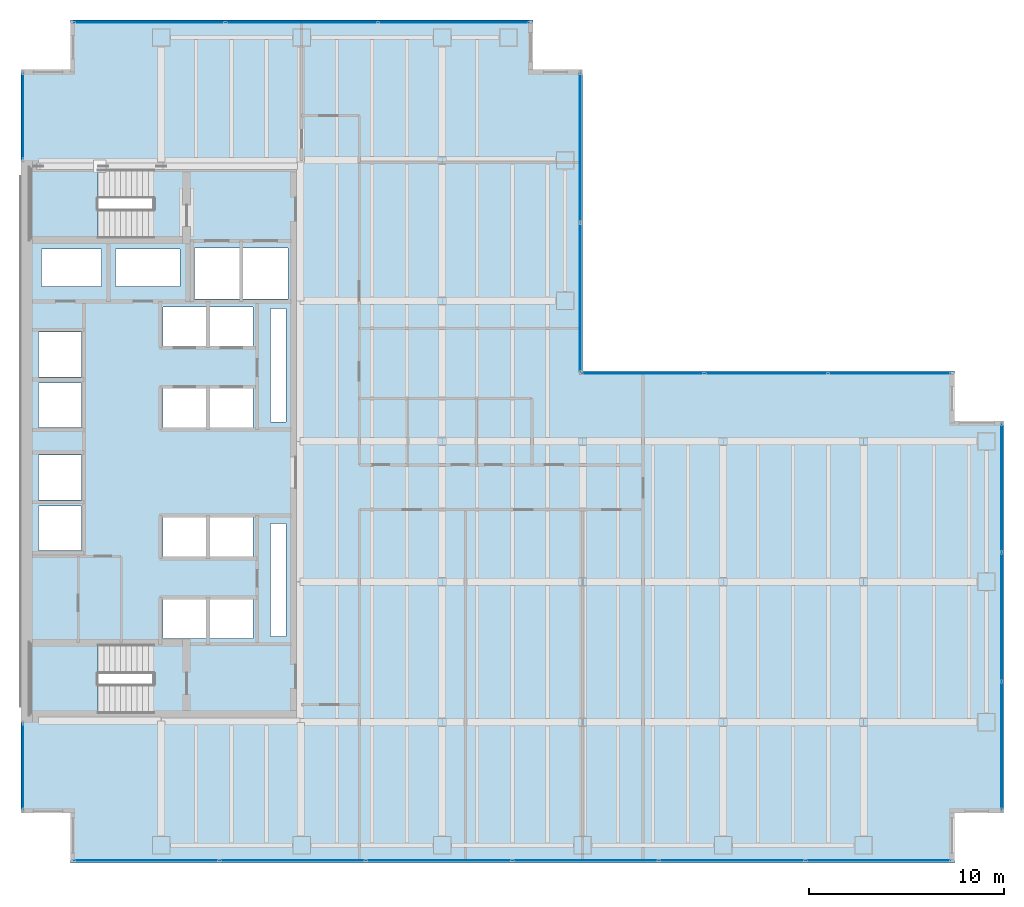
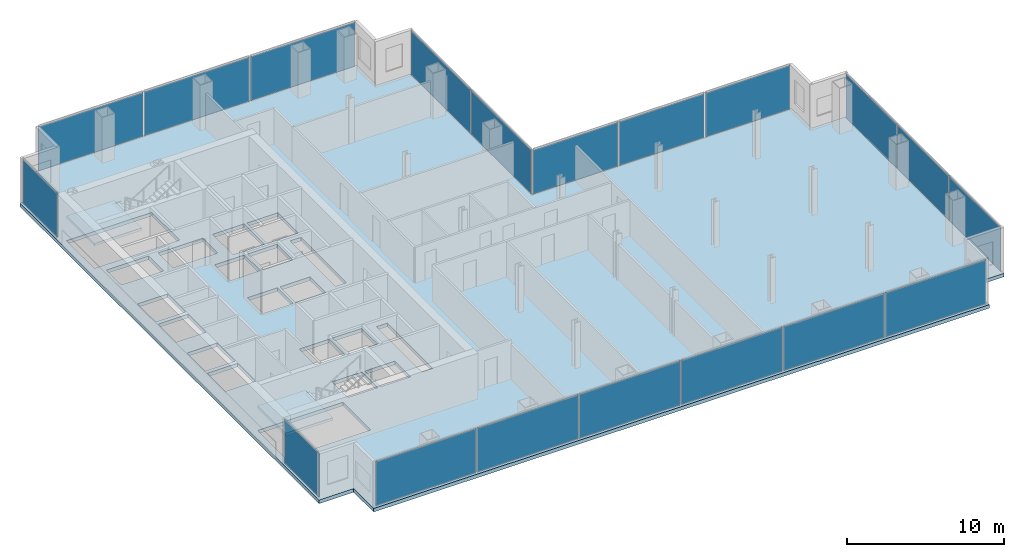
# One storey, part 19 of 23: 19 plates, 3 slabs, 20 openings, 9 elements without a shape of their own.
"""IFC4 building model written with IfcOpenShell, lengths in metres."""

from ifc_helpers import new_model, si_unit, direction, frame, origin, origin_2d, place, context, subcontext, project, spatial, polyline, rectangle, outline, extrude, material, layer, layer_set, type_object, element, aggregate, save


model = new_model("IFC4")

# Units and contexts
model_context = context("Model", 3, precision=1e-05, world=origin(), true_north=direction((0.0, 1.0)))
body_context = subcontext(model_context, "Body", "Model", "MODEL_VIEW")
ifc_project = project(units=[si_unit("LENGTHUNIT", "METRE"), si_unit("AREAUNIT", "SQUARE_METRE"), si_unit("VOLUMEUNIT", "CUBIC_METRE"), si_unit("PLANEANGLEUNIT", "RADIAN"), si_unit("MASSUNIT", "GRAM", prefix="KILO")], contexts=[model_context])

# Site, building, storey
site_placement = place(None, origin())
site = spatial("IfcSite", under=ifc_project, at=site_placement, CompositionType="ELEMENT")
building_placement = place(site_placement, origin())
building = spatial("IfcBuilding", under=site, at=building_placement, Name="Cobrela Telecom Tower", CompositionType="ELEMENT")
storey_placement = place(building_placement, frame((0.0, 0.0, 81.199951171875)))
storey = spatial("IfcBuildingStorey", under=building, at=storey_placement, Name="L20", CompositionType="ELEMENT", Elevation=81.199951171875)

# Curtain wall, plate
ifc_material_1 = material(Name="Anodized Bronze Aluminium 6063-T6", Category="aluminium")
curtain_wall_type = type_object("IfcCurtainWallType", Name="CW-SYS-DATA", PredefinedType="USERDEFINED", material=ifc_material_1)
curtain_wall_1_placement = place(storey_placement, origin())
curtain_wall_1 = element("IfcCurtainWall", 1, at=curtain_wall_1_placement, inside=storey, type_object=curtain_wall_type, Name="L20 Unitised Bronze Curtain Wall 03", ObjectType="UNITISED CURTAIN WALL", PredefinedType="USERDEFINED")
ifc_material_2 = material(Name="Solar-Control Bronze Low-E Glass", Category="glass")
ifc_layer_1 = layer(ifc_material_2, 0.0380859375)
ifc_layer_set_1 = layer_set([ifc_layer_1], Name="Solar-Control Bronze Low-E Glass")
plate_type = type_object("IfcPlateType", Name="CW-SYS-DATA-PNL", PredefinedType="CURTAIN_PANEL", material=ifc_layer_set_1)
plate_1_placement = place(storey_placement, frame((0.1201171875, 4.93505859375, 0.0751953125), z_axis=(0.0, 0.0, 1.0), x_axis=(0.0, 1.0, 0.0)))
plate_1 = element("IfcPlate", 2, at=plate_1_placement, type_object=plate_type, Name="CW-DATA panel 1.1", PredefinedType="CURTAIN_PANEL", context=body_context, shape_type="SweptSolid", body=[
    extrude(rectangle(XDim=4.3701171875, YDim=0.0380859375, at=origin_2d()), origin(), (0.0, 0.0, 1.0), 3.419921875),
])
aggregate(curtain_wall_1, [plate_1])

curtain_wall_2_placement = place(storey_placement, origin())
curtain_wall_2 = element("IfcCurtainWall", 3, at=curtain_wall_2_placement, inside=storey, type_object=curtain_wall_type, Name="L20 Unitised Bronze Curtain Wall 04", ObjectType="UNITISED CURTAIN WALL", PredefinedType="USERDEFINED")
plate_2_placement = place(storey_placement, frame((0.1201171875, 38.264892578125, 0.0751953125), z_axis=(0.0, 0.0, 1.0), x_axis=(0.0, 1.0, 0.0)))
plate_2 = element("IfcPlate", 4, at=plate_2_placement, type_object=plate_type, Name="CW-DATA panel 1.1", PredefinedType="CURTAIN_PANEL", context=body_context, shape_type="SweptSolid", body=[
    extrude(rectangle(XDim=4.3701171875, YDim=0.0380859375, at=origin_2d()), origin(), (0.0, 0.0, 1.0), 3.419921875),
])
aggregate(curtain_wall_2, [plate_2])

# Curtain wall, plates
curtain_wall_3_placement = place(storey_placement, origin())
curtain_wall_3 = element("IfcCurtainWall", 5, at=curtain_wall_3_placement, inside=storey, type_object=curtain_wall_type, Name="L20 Unitised Bronze Curtain Wall 07", ObjectType="UNITISED CURTAIN WALL", PredefinedType="USERDEFINED")
plate_3_placement = place(storey_placement, frame((6.60009765625, 43.080078125, 0.0751953125), z_axis=(0.0, 0.0, 1.0), x_axis=(1.0, 0.0, 0.0)))
plate_3 = element("IfcPlate", 6, at=plate_3_placement, type_object=plate_type, Name="CW-DATA panel 1.1", PredefinedType="CURTAIN_PANEL", context=body_context, shape_type="SweptSolid", body=[
    extrude(rectangle(XDim=7.699951171875, YDim=0.0380859375, at=origin_2d()), origin(), (0.0, 0.0, 1.0), 3.419921875),
])
plate_4_placement = place(storey_placement, frame((14.39990234375, 43.080078125, 0.0751953125), z_axis=(0.0, 0.0, 1.0), x_axis=(1.0, 0.0, 0.0)))
plate_4 = element("IfcPlate", 7, at=plate_4_placement, type_object=plate_type, Name="CW-DATA panel 2.1", PredefinedType="CURTAIN_PANEL", context=body_context, shape_type="SweptSolid", body=[
    extrude(rectangle(XDim=7.739990234375, YDim=0.0380859375, at=origin_2d()), origin(), (0.0, 0.0, 1.0), 3.419921875),
])
plate_5_placement = place(storey_placement, frame((22.199951171875, 43.080078125, 0.0751953125), z_axis=(0.0, 0.0, 1.0), x_axis=(1.0, 0.0, 0.0)))
plate_5 = element("IfcPlate", 8, at=plate_5_placement, type_object=plate_type, Name="CW-DATA panel 3.1", PredefinedType="CURTAIN_PANEL", context=body_context, shape_type="SweptSolid", body=[
    extrude(rectangle(XDim=7.699951171875, YDim=0.0380859375, at=origin_2d()), origin(), (0.0, 0.0, 1.0), 3.419921875),
])
aggregate(curtain_wall_3, [plate_3, plate_4, plate_5])

curtain_wall_4_placement = place(storey_placement, origin())
curtain_wall_4 = element("IfcCurtainWall", 9, at=curtain_wall_4_placement, inside=storey, type_object=curtain_wall_type, Name="L20 Unitised Bronze Curtain Wall 10", ObjectType="UNITISED CURTAIN WALL", PredefinedType="USERDEFINED")
plate_6_placement = place(storey_placement, frame((28.679931640625, 36.6474609375, 0.0751953125), z_axis=(0.0, 0.0, 1.0), x_axis=(0.0, -1.0, 0.0)))
plate_6 = element("IfcPlate", 10, at=plate_6_placement, type_object=plate_type, Name="CW-DATA panel 1.1", PredefinedType="CURTAIN_PANEL", context=body_context, shape_type="SweptSolid", body=[
    extrude(rectangle(XDim=7.60498046875, YDim=0.0380859375, at=origin_2d()), origin(), (0.0, 0.0, 1.0), 3.419921875),
])
plate_7_placement = place(storey_placement, frame((28.679931640625, 28.96240234375, 0.0751953125), z_axis=(0.0, 0.0, 1.0), x_axis=(0.0, -1.0, 0.0)))
plate_7 = element("IfcPlate", 11, at=plate_7_placement, type_object=plate_type, Name="CW-DATA panel 2.1", PredefinedType="CURTAIN_PANEL", context=body_context, shape_type="SweptSolid", body=[
    extrude(rectangle(XDim=7.60498046875, YDim=0.0380859375, at=origin_2d()), origin(), (0.0, 0.0, 1.0), 3.419921875),
])
aggregate(curtain_wall_4, [plate_6, plate_7])

curtain_wall_5_placement = place(storey_placement, origin())
curtain_wall_5 = element("IfcCurtainWall", 12, at=curtain_wall_5_placement, inside=storey, type_object=curtain_wall_type, Name="L20 Unitised Bronze Curtain Wall 11", ObjectType="UNITISED CURTAIN WALL", PredefinedType="USERDEFINED")
plate_8_placement = place(storey_placement, frame((31.875, 25.080078125, 0.0751953125), z_axis=(0.0, 0.0, 1.0), x_axis=(1.0, 0.0, 0.0)))
plate_8 = element("IfcPlate", 13, at=plate_8_placement, type_object=plate_type, Name="CW-DATA panel 1.1", PredefinedType="CURTAIN_PANEL", context=body_context, shape_type="SweptSolid", body=[
    extrude(rectangle(XDim=6.22998046875, YDim=0.0380859375, at=origin_2d()), origin(), (0.0, 0.0, 1.0), 3.419921875),
])
plate_9_placement = place(storey_placement, frame((38.205078125, 25.080078125, 0.0751953125), z_axis=(0.0, 0.0, 1.0), x_axis=(1.0, 0.0, 0.0)))
plate_9 = element("IfcPlate", 14, at=plate_9_placement, type_object=plate_type, Name="CW-DATA panel 2.1", PredefinedType="CURTAIN_PANEL", context=body_context, shape_type="SweptSolid", body=[
    extrude(rectangle(XDim=6.27001953125, YDim=0.0380859375, at=origin_2d()), origin(), (0.0, 0.0, 1.0), 3.419921875),
])
plate_10_placement = place(storey_placement, frame((44.534912109375, 25.080078125, 0.0751953125), z_axis=(0.0, 0.0, 1.0), x_axis=(1.0, 0.0, 0.0)))
plate_10 = element("IfcPlate", 15, at=plate_10_placement, type_object=plate_type, Name="CW-DATA panel 3.1", PredefinedType="CURTAIN_PANEL", context=body_context, shape_type="SweptSolid", body=[
    extrude(rectangle(XDim=6.22998046875, YDim=0.0380859375, at=origin_2d()), origin(), (0.0, 0.0, 1.0), 3.419921875),
])
aggregate(curtain_wall_5, [plate_8, plate_9, plate_10])

curtain_wall_6_placement = place(storey_placement, origin())
curtain_wall_6 = element("IfcCurtainWall", 16, at=curtain_wall_6_placement, inside=storey, type_object=curtain_wall_type, Name="L20 Unitised Bronze Curtain Wall 14", ObjectType="UNITISED CURTAIN WALL", PredefinedType="USERDEFINED")
plate_11_placement = place(storey_placement, frame((50.280029296875, 19.199951171875, 0.0751953125), z_axis=(0.0, 0.0, 1.0), x_axis=(0.0, -1.0, 0.0)))
plate_11 = element("IfcPlate", 17, at=plate_11_placement, type_object=plate_type, Name="CW-DATA panel 1.1", PredefinedType="CURTAIN_PANEL", context=body_context, shape_type="SweptSolid", body=[
    extrude(rectangle(XDim=6.5, YDim=0.0380859375, at=origin_2d()), origin(), (0.0, 0.0, 1.0), 3.419921875),
])
plate_12_placement = place(storey_placement, frame((50.280029296875, 12.60009765625, 0.0751953125), z_axis=(0.0, 0.0, 1.0), x_axis=(0.0, -1.0, 0.0)))
plate_12 = element("IfcPlate", 18, at=plate_12_placement, type_object=plate_type, Name="CW-DATA panel 2.1", PredefinedType="CURTAIN_PANEL", context=body_context, shape_type="SweptSolid", body=[
    extrude(rectangle(XDim=6.5400390625, YDim=0.0380859375, at=origin_2d()), origin(), (0.0, 0.0, 1.0), 3.419921875),
])
plate_13_placement = place(storey_placement, frame((50.280029296875, 6.0, 0.0751953125), z_axis=(0.0, 0.0, 1.0), x_axis=(0.0, -1.0, 0.0)))
plate_13 = element("IfcPlate", 19, at=plate_13_placement, type_object=plate_type, Name="CW-DATA panel 3.1", PredefinedType="CURTAIN_PANEL", context=body_context, shape_type="SweptSolid", body=[
    extrude(rectangle(XDim=6.5, YDim=0.0380859375, at=origin_2d()), origin(), (0.0, 0.0, 1.0), 3.419921875),
])
aggregate(curtain_wall_6, [plate_11, plate_12, plate_13])

curtain_wall_7_placement = place(storey_placement, origin())
curtain_wall_7 = element("IfcCurtainWall", 20, at=curtain_wall_7_placement, inside=storey, type_object=curtain_wall_type, Name="L20 Unitised Bronze Curtain Wall 17", ObjectType="UNITISED CURTAIN WALL", PredefinedType="USERDEFINED")
plate_14_placement = place(storey_placement, frame((43.955078125, 0.1201171875, 0.0751953125), z_axis=(0.0, 0.0, 1.0), x_axis=(-1.0, 0.0, 0.0)))
plate_14 = element("IfcPlate", 21, at=plate_14_placement, type_object=plate_type, Name="CW-DATA panel 1.1", PredefinedType="CURTAIN_PANEL", context=body_context, shape_type="SweptSolid", body=[
    extrude(rectangle(XDim=7.389892578125, YDim=0.0380859375, at=origin_2d()), origin(), (0.0, 0.0, 1.0), 3.419921875),
])
plate_15_placement = place(storey_placement, frame((36.465087890625, 0.1201171875, 0.0751953125), z_axis=(0.0, 0.0, 1.0), x_axis=(-1.0, 0.0, 0.0)))
plate_15 = element("IfcPlate", 22, at=plate_15_placement, type_object=plate_type, Name="CW-DATA panel 2.1", PredefinedType="CURTAIN_PANEL", context=body_context, shape_type="SweptSolid", body=[
    extrude(rectangle(XDim=7.429931640625, YDim=0.0380859375, at=origin_2d()), origin(), (0.0, 0.0, 1.0), 3.419921875),
])
plate_16_placement = place(storey_placement, frame((28.955078125, 0.1201171875, 0.0751953125), z_axis=(0.0, 0.0, 1.0), x_axis=(-1.0, 0.0, 0.0)))
plate_16 = element("IfcPlate", 23, at=plate_16_placement, type_object=plate_type, Name="CW-DATA panel 3.1", PredefinedType="CURTAIN_PANEL", context=body_context, shape_type="SweptSolid", body=[
    extrude(rectangle(XDim=7.429931640625, YDim=0.0380859375, at=origin_2d()), origin(), (0.0, 0.0, 1.0), 3.419921875),
])
plate_17_placement = place(storey_placement, frame((21.445068359375, 0.1201171875, 0.0751953125), z_axis=(0.0, 0.0, 1.0), x_axis=(-1.0, 0.0, 0.0)))
plate_17 = element("IfcPlate", 24, at=plate_17_placement, type_object=plate_type, Name="CW-DATA panel 4.1", PredefinedType="CURTAIN_PANEL", context=body_context, shape_type="SweptSolid", body=[
    extrude(rectangle(XDim=7.429931640625, YDim=0.0380859375, at=origin_2d()), origin(), (0.0, 0.0, 1.0), 3.419921875),
])
plate_18_placement = place(storey_placement, frame((13.93505859375, 0.1201171875, 0.0751953125), z_axis=(0.0, 0.0, 1.0), x_axis=(-1.0, 0.0, 0.0)))
plate_18 = element("IfcPlate", 25, at=plate_18_placement, type_object=plate_type, Name="CW-DATA panel 5.1", PredefinedType="CURTAIN_PANEL", context=body_context, shape_type="SweptSolid", body=[
    extrude(rectangle(XDim=7.429931640625, YDim=0.0380859375, at=origin_2d()), origin(), (0.0, 0.0, 1.0), 3.419921875),
])
plate_19_placement = place(storey_placement, frame((6.445068359375, 0.1201171875, 0.0751953125), z_axis=(0.0, 0.0, 1.0), x_axis=(-1.0, 0.0, 0.0)))
plate_19 = element("IfcPlate", 26, at=plate_19_placement, type_object=plate_type, Name="CW-DATA panel 6.1", PredefinedType="CURTAIN_PANEL", context=body_context, shape_type="SweptSolid", body=[
    extrude(rectangle(XDim=7.389892578125, YDim=0.0380859375, at=origin_2d()), origin(), (0.0, 0.0, 1.0), 3.419921875),
])
aggregate(curtain_wall_7, [plate_14, plate_15, plate_16, plate_17, plate_18, plate_19])

# Slab, openings
ifc_material_3 = material(Name="Concrete C40/50", Category="concrete")
ifc_layer_2 = layer(ifc_material_3, 0.280029296875)
ifc_layer_set_2 = layer_set([ifc_layer_2], Name="Concrete C40/50")
slab_type_1 = type_object("IfcSlabType", Name="SLAB-FLR-280", PredefinedType="FLOOR", material=ifc_layer_set_2)
slab_1_placement = place(storey_placement, frame((0.0, 0.0, -0.280029296875)))
slab_1 = element("IfcSlab", 27, at=slab_1_placement, inside=storey, type_object=slab_type_1, Name="L20 Structural Floor Slab", PredefinedType="FLOOR", context=body_context, shape_type="SweptSolid", body=[
    extrude(outline(polyline([(2.550048828125, 0.0), (47.85009765625, 0.0), (47.85009765625, 2.550048828125), (50.39990234375, 2.550048828125), (50.39990234375, 22.64990234375), (47.85009765625, 22.64990234375), (47.85009765625, 25.199951171875), (28.800048828125, 25.199951171875), (28.800048828125, 40.64990234375), (26.25, 40.64990234375), (26.25, 43.199951171875), (2.550048828125, 43.199951171875), (2.550048828125, 40.64990234375), (0.0, 40.64990234375), (0.0, 2.550048828125), (2.550048828125, 2.550048828125), (2.550048828125, 0.0)])), origin(), (0.0, 0.0, 1.0), 0.280029296875),
])
opening_1_placement = place(slab_1_placement, frame((0.0, 0.0, -0.02001953125)))
element("IfcOpeningElement", 28, at=opening_1_placement, cuts=slab_1, Name="Slab Shaft Opening SLAB-L20-MAIN.1", PredefinedType="OPENING", context=body_context, shape_type="SweptSolid", body=[
    extrude(outline(polyline([(8.89990234375, 28.89990234375), (11.199951171875, 28.89990234375), (11.199951171875, 31.5), (8.89990234375, 31.5), (8.89990234375, 28.89990234375)])), origin(), (0.0, 0.0, 1.0), 0.320068359375),
])
opening_2_placement = place(slab_1_placement, frame((0.0, 0.0, -0.02001953125)))
element("IfcOpeningElement", 29, at=opening_2_placement, cuts=slab_1, Name="Slab Shaft Opening SLAB-L20-MAIN.2", PredefinedType="OPENING", context=body_context, shape_type="SweptSolid", body=[
    extrude(outline(polyline([(11.39990234375, 28.89990234375), (13.699951171875, 28.89990234375), (13.699951171875, 31.5), (11.39990234375, 31.5), (11.39990234375, 28.89990234375)])), origin(), (0.0, 0.0, 1.0), 0.320068359375),
])
opening_3_placement = place(slab_1_placement, frame((0.0, 0.0, -0.02001953125)))
element("IfcOpeningElement", 30, at=opening_3_placement, cuts=slab_1, Name="Slab Shaft Opening SLAB-L20-MAIN.3", PredefinedType="OPENING", context=body_context, shape_type="SweptSolid", body=[
    extrude(outline(polyline([(7.300048828125, 22.300048828125), (9.5, 22.300048828125), (9.5, 24.300048828125), (7.300048828125, 24.300048828125), (7.300048828125, 22.300048828125)])), origin(), (0.0, 0.0, 1.0), 0.320068359375),
])
opening_4_placement = place(slab_1_placement, frame((0.0, 0.0, -0.02001953125)))
element("IfcOpeningElement", 31, at=opening_4_placement, cuts=slab_1, Name="Slab Shaft Opening SLAB-L20-MAIN.4", PredefinedType="OPENING", context=body_context, shape_type="SweptSolid", body=[
    extrude(outline(polyline([(9.699951171875, 22.300048828125), (11.89990234375, 22.300048828125), (11.89990234375, 24.300048828125), (9.699951171875, 24.300048828125), (9.699951171875, 22.300048828125)])), origin(), (0.0, 0.0, 1.0), 0.320068359375),
])
opening_5_placement = place(slab_1_placement, frame((0.0, 0.0, -0.02001953125)))
element("IfcOpeningElement", 32, at=opening_5_placement, cuts=slab_1, Name="Slab Shaft Opening SLAB-L20-MAIN.5", PredefinedType="OPENING", context=body_context, shape_type="SweptSolid", body=[
    extrude(outline(polyline([(7.300048828125, 26.5), (9.5, 26.5), (9.5, 28.5), (7.300048828125, 28.5), (7.300048828125, 26.5)])), origin(), (0.0, 0.0, 1.0), 0.320068359375),
])
opening_6_placement = place(slab_1_placement, frame((0.0, 0.0, -0.02001953125)))
element("IfcOpeningElement", 33, at=opening_6_placement, cuts=slab_1, Name="Slab Shaft Opening SLAB-L20-MAIN.6", PredefinedType="OPENING", context=body_context, shape_type="SweptSolid", body=[
    extrude(outline(polyline([(9.699951171875, 26.5), (11.89990234375, 26.5), (11.89990234375, 28.5), (9.699951171875, 28.5), (9.699951171875, 26.5)])), origin(), (0.0, 0.0, 1.0), 0.320068359375),
])
opening_7_placement = place(slab_1_placement, frame((0.0, 0.0, -0.02001953125)))
element("IfcOpeningElement", 34, at=opening_7_placement, cuts=slab_1, Name="Slab Shaft Opening SLAB-L20-MAIN.7", PredefinedType="OPENING", context=body_context, shape_type="SweptSolid", body=[
    extrude(outline(polyline([(7.300048828125, 15.699951171875), (9.5, 15.699951171875), (9.5, 17.699951171875), (7.300048828125, 17.699951171875), (7.300048828125, 15.699951171875)])), origin(), (0.0, 0.0, 1.0), 0.320068359375),
])
opening_8_placement = place(slab_1_placement, frame((0.0, 0.0, -0.02001953125)))
element("IfcOpeningElement", 35, at=opening_8_placement, cuts=slab_1, Name="Slab Shaft Opening SLAB-L20-MAIN.8", PredefinedType="OPENING", context=body_context, shape_type="SweptSolid", body=[
    extrude(outline(polyline([(9.699951171875, 15.699951171875), (11.89990234375, 15.699951171875), (11.89990234375, 17.699951171875), (9.699951171875, 17.699951171875), (9.699951171875, 15.699951171875)])), origin(), (0.0, 0.0, 1.0), 0.320068359375),
])
opening_9_placement = place(slab_1_placement, frame((0.0, 0.0, -0.02001953125)))
element("IfcOpeningElement", 36, at=opening_9_placement, cuts=slab_1, Name="Slab Shaft Opening SLAB-L20-MAIN.9", PredefinedType="OPENING", context=body_context, shape_type="SweptSolid", body=[
    extrude(outline(polyline([(7.300048828125, 11.5), (9.5, 11.5), (9.5, 13.5), (7.300048828125, 13.5), (7.300048828125, 11.5)])), origin(), (0.0, 0.0, 1.0), 0.320068359375),
])
opening_10_placement = place(slab_1_placement, frame((0.0, 0.0, -0.02001953125)))
element("IfcOpeningElement", 37, at=opening_10_placement, cuts=slab_1, Name="Slab Shaft Opening SLAB-L20-MAIN.10", PredefinedType="OPENING", context=body_context, shape_type="SweptSolid", body=[
    extrude(outline(polyline([(9.699951171875, 11.5), (11.89990234375, 11.5), (11.89990234375, 13.5), (9.699951171875, 13.5), (9.699951171875, 11.5)])), origin(), (0.0, 0.0, 1.0), 0.320068359375),
])
opening_11_placement = place(slab_1_placement, frame((0.0, 0.0, -0.02001953125)))
element("IfcOpeningElement", 38, at=opening_11_placement, cuts=slab_1, Name="Slab Shaft Opening SLAB-L20-MAIN.11", PredefinedType="OPENING", context=body_context, shape_type="SweptSolid", body=[
    extrude(outline(polyline([(0.89990234375, 16.0), (3.10009765625, 16.0), (3.10009765625, 18.300048828125), (0.89990234375, 18.300048828125), (0.89990234375, 16.0)])), origin(), (0.0, 0.0, 1.0), 0.320068359375),
])
opening_12_placement = place(slab_1_placement, frame((0.0, 0.0, -0.02001953125)))
element("IfcOpeningElement", 39, at=opening_12_placement, cuts=slab_1, Name="Slab Shaft Opening SLAB-L20-MAIN.12", PredefinedType="OPENING", context=body_context, shape_type="SweptSolid", body=[
    extrude(outline(polyline([(0.89990234375, 18.60009765625), (3.10009765625, 18.60009765625), (3.10009765625, 20.89990234375), (0.89990234375, 20.89990234375), (0.89990234375, 18.60009765625)])), origin(), (0.0, 0.0, 1.0), 0.320068359375),
])
opening_13_placement = place(slab_1_placement, frame((0.0, 0.0, -0.02001953125)))
element("IfcOpeningElement", 40, at=opening_13_placement, cuts=slab_1, Name="Slab Shaft Opening SLAB-L20-MAIN.13", PredefinedType="OPENING", context=body_context, shape_type="SweptSolid", body=[
    extrude(outline(polyline([(0.89990234375, 22.300048828125), (3.10009765625, 22.300048828125), (3.10009765625, 24.60009765625), (0.89990234375, 24.60009765625), (0.89990234375, 22.300048828125)])), origin(), (0.0, 0.0, 1.0), 0.320068359375),
])
opening_14_placement = place(slab_1_placement, frame((0.0, 0.0, -0.02001953125)))
element("IfcOpeningElement", 41, at=opening_14_placement, cuts=slab_1, Name="Slab Shaft Opening SLAB-L20-MAIN.14", PredefinedType="OPENING", context=body_context, shape_type="SweptSolid", body=[
    extrude(outline(polyline([(0.89990234375, 24.89990234375), (3.10009765625, 24.89990234375), (3.10009765625, 27.199951171875), (0.89990234375, 27.199951171875), (0.89990234375, 24.89990234375)])), origin(), (0.0, 0.0, 1.0), 0.320068359375),
])
opening_15_placement = place(slab_1_placement, frame((0.0, 0.0, -0.02001953125)))
element("IfcOpeningElement", 42, at=opening_15_placement, cuts=slab_1, Name="Slab Shaft Opening SLAB-L20-MAIN.15", PredefinedType="OPENING", context=body_context, shape_type="SweptSolid", body=[
    extrude(outline(polyline([(1.050048828125, 29.550048828125), (4.14990234375, 29.550048828125), (4.14990234375, 31.449951171875), (1.050048828125, 31.449951171875), (1.050048828125, 29.550048828125)])), origin(), (0.0, 0.0, 1.0), 0.320068359375),
])
opening_16_placement = place(slab_1_placement, frame((0.0, 0.0, -0.02001953125)))
element("IfcOpeningElement", 43, at=opening_16_placement, cuts=slab_1, Name="Slab Shaft Opening SLAB-L20-MAIN.16", PredefinedType="OPENING", context=body_context, shape_type="SweptSolid", body=[
    extrude(outline(polyline([(4.85009765625, 29.550048828125), (8.14990234375, 29.550048828125), (8.14990234375, 31.449951171875), (4.85009765625, 31.449951171875), (4.85009765625, 29.550048828125)])), origin(), (0.0, 0.0, 1.0), 0.320068359375),
])
opening_17_placement = place(slab_1_placement, frame((0.0, 0.0, -0.02001953125)))
element("IfcOpeningElement", 44, at=opening_17_placement, cuts=slab_1, Name="Slab Shaft Opening SLAB-L20-MAIN.17", PredefinedType="OPENING", context=body_context, shape_type="SweptSolid", body=[
    extrude(outline(polyline([(12.800048828125, 22.60009765625), (13.60009765625, 22.60009765625), (13.60009765625, 28.39990234375), (12.800048828125, 28.39990234375), (12.800048828125, 22.60009765625)])), origin(), (0.0, 0.0, 1.0), 0.320068359375),
])
opening_18_placement = place(slab_1_placement, frame((0.0, 0.0, -0.02001953125)))
element("IfcOpeningElement", 45, at=opening_18_placement, cuts=slab_1, Name="Slab Shaft Opening SLAB-L20-MAIN.18", PredefinedType="OPENING", context=body_context, shape_type="SweptSolid", body=[
    extrude(outline(polyline([(12.800048828125, 11.60009765625), (13.60009765625, 11.60009765625), (13.60009765625, 17.39990234375), (12.800048828125, 17.39990234375), (12.800048828125, 11.60009765625)])), origin(), (0.0, 0.0, 1.0), 0.320068359375),
])
opening_19_placement = place(slab_1_placement, frame((0.0, 0.0, -0.02001953125)))
element("IfcOpeningElement", 46, at=opening_19_placement, cuts=slab_1, Name="Slab Shaft Opening SLAB-L20-MAIN.19", PredefinedType="OPENING", context=body_context, shape_type="SweptSolid", body=[
    extrude(outline(polyline([(6.7548828125, 35.550048828125), (0.47998046875, 35.550048828125), (0.47998046875, 32.0), (6.7548828125, 32.0), (6.7548828125, 35.550048828125)])), origin(), (0.0, 0.0, 1.0), 0.320068359375),
])
opening_20_placement = place(slab_1_placement, frame((0.0, 0.0, -0.02001953125)))
element("IfcOpeningElement", 47, at=opening_20_placement, cuts=slab_1, Name="Slab Shaft Opening SLAB-L20-MAIN.20", PredefinedType="OPENING", context=body_context, shape_type="SweptSolid", body=[
    extrude(outline(polyline([(6.7548828125, 11.199951171875), (0.47998046875, 11.199951171875), (0.47998046875, 7.64990234375), (6.7548828125, 7.64990234375), (6.7548828125, 11.199951171875)])), origin(), (0.0, 0.0, 1.0), 0.320068359375),
])

# Stair, slab
stair_type = type_object("IfcStairType", Name="STAIR-CORE", PredefinedType="HALF_TURN_STAIR", material=ifc_material_3)
stair_1_placement = place(storey_placement, origin())
stair_1 = element("IfcStair", 48, at=stair_1_placement, inside=storey, type_object=stair_type, Name="L20 Smokeproof Exit Stair ST1", PredefinedType="HALF_TURN_STAIR")
ifc_layer_3 = layer(ifc_material_3, 0.199951171875)
ifc_layer_set_3 = layer_set([ifc_layer_3], Name="Concrete C40/50")
slab_type_2 = type_object("IfcSlabType", Name="SLAB-LAND-200", PredefinedType="LANDING", material=ifc_layer_set_3)
slab_2_placement = place(storey_placement, frame((0.0, 0.0, 1.72509765625)))
slab_2 = element("IfcSlab", 49, at=slab_2_placement, type_object=slab_type_2, Name="ST1 landing 1", PredefinedType="LANDING", context=body_context, shape_type="SweptSolid", body=[
    extrude(outline(polyline([(3.969970703125, 35.550048828125), (0.47998046875, 35.550048828125), (0.47998046875, 32.0), (3.969970703125, 32.0), (3.969970703125, 35.550048828125)])), origin(), (0.0, 0.0, 1.0), 0.199951171875),
])
aggregate(stair_1, [slab_2])

stair_2_placement = place(storey_placement, origin())
stair_2 = element("IfcStair", 50, at=stair_2_placement, inside=storey, type_object=stair_type, Name="L20 Smokeproof Exit Stair ST2", PredefinedType="HALF_TURN_STAIR")
slab_3_placement = place(storey_placement, frame((0.0, 0.0, 1.72509765625)))
slab_3 = element("IfcSlab", 51, at=slab_3_placement, type_object=slab_type_2, Name="ST2 landing 1", PredefinedType="LANDING", context=body_context, shape_type="SweptSolid", body=[
    extrude(outline(polyline([(3.969970703125, 11.199951171875), (0.47998046875, 11.199951171875), (0.47998046875, 7.64990234375), (3.969970703125, 7.64990234375), (3.969970703125, 11.199951171875)])), origin(), (0.0, 0.0, 1.0), 0.199951171875),
])
aggregate(stair_2, [slab_3])

save(model, "model.ifc")
